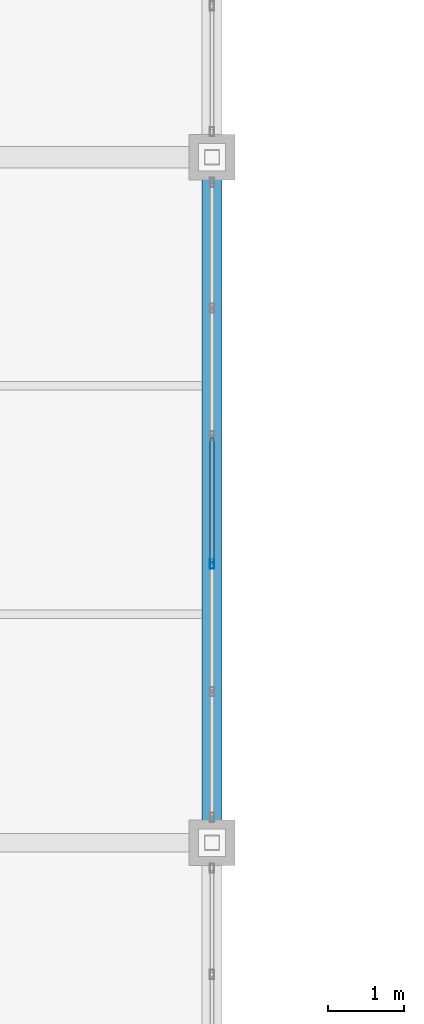
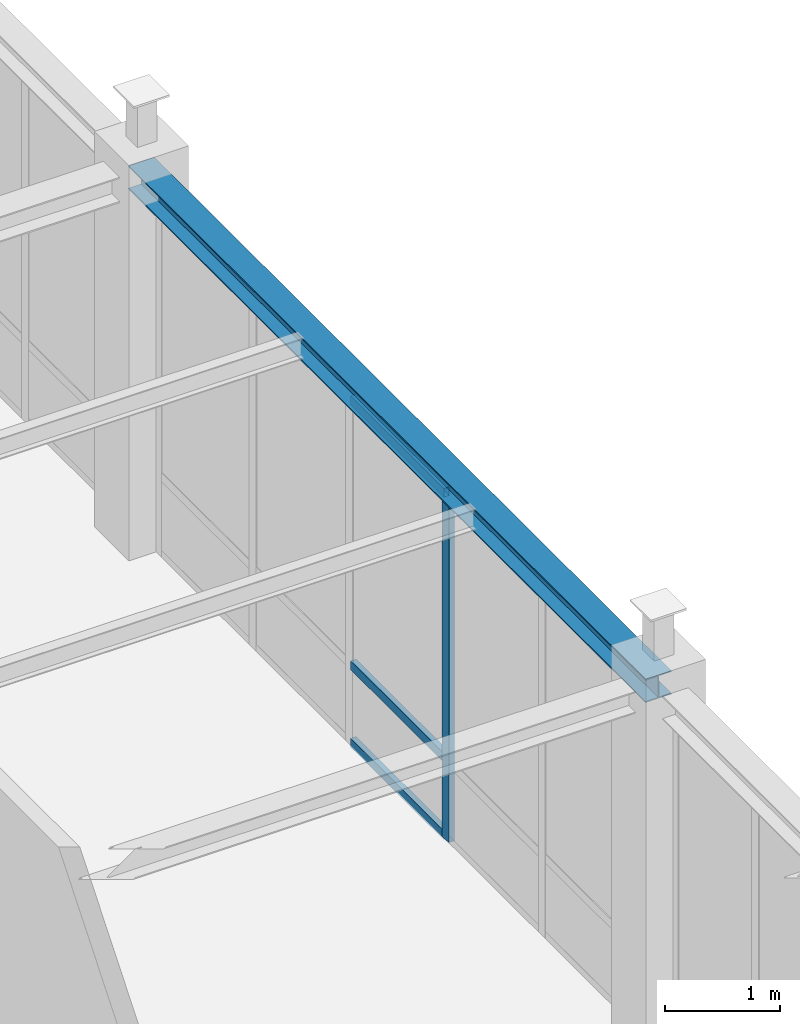
# One storey, part 13 of 36: 4 members, 1 beam, 1 element without a shape of its own.
"""IFC4 building model written with IfcOpenShell, lengths in metres."""

from ifc_helpers import new_model, si_unit, direction, frame, origin, origin_2d, place, context, subcontext, project, spatial, hollow_rectangle, i_section, extrude, material, material_profile, profile_set, type_object, element, aggregate, save


model = new_model("IFC4")

# Units and contexts
model_context = context("Model", 3, precision=1e-05, world=origin(), true_north=direction((0.0, 1.0)))
body_context = subcontext(model_context, "Body", "Model", "MODEL_VIEW")
ifc_project = project(units=[si_unit("LENGTHUNIT", "METRE"), si_unit("AREAUNIT", "SQUARE_METRE"), si_unit("VOLUMEUNIT", "CUBIC_METRE"), si_unit("PLANEANGLEUNIT", "RADIAN"), si_unit("MASSUNIT", "GRAM", prefix="KILO")], contexts=[model_context])

# Site, building, storey
site_placement = place(None, origin())
site = spatial("IfcSite", under=ifc_project, at=site_placement, CompositionType="ELEMENT")
building_placement = place(site_placement, origin())
building = spatial("IfcBuilding", under=site, at=building_placement, Name="Lykobir Media Centre", CompositionType="ELEMENT")
storey_placement = place(building_placement, frame((0.0, 0.0, 27.60009765625)))
storey = spatial("IfcBuildingStorey", under=building, at=storey_placement, Name="L06", CompositionType="ELEMENT", Elevation=27.60009765625)

# Beam
ifc_material_1 = material(Name="Steel S355", Category="steel")
ifc_material_profile_1 = material_profile(ifc_material_1, i_section(OverallWidth=0.260009765625, OverallDepth=0.25, WebThickness=0.007568359375, FlangeThickness=0.012451171875, at=origin_2d()), Name="HEA 260")
ifc_profile_set_1 = profile_set([ifc_material_profile_1], Name="Steel S355")
beam_type = type_object("IfcBeamType", Name="BM-HEA260", PredefinedType="BEAM", material=ifc_profile_set_1)
beam_placement = place(storey_placement, frame((36.0, 27.0, 3.8330078125), z_axis=(0.0, 1.0, 0.0), x_axis=(-1.0, 0.0, 0.0)))
element("IfcBeam", 1, at=beam_placement, inside=storey, type_object=beam_type, Name="Beam BM-L06-0360-0270-0360-0360-3146", PredefinedType="BEAM", context=body_context, shape_type="SweptSolid", body=[
    extrude(i_section(OverallWidth=0.260009765625, OverallDepth=0.25, WebThickness=0.007568359375, FlangeThickness=0.012451171875, at=origin_2d()), origin(), (0.0, 0.0, 1.0), 9.0),
])

# Curtain wall, members
ifc_material_2 = material(Name="Anodized Aluminium AW-6060", Category="aluminium")
curtain_wall_type = type_object("IfcCurtainWallType", Name="CW-COURT-B", PredefinedType="NOTDEFINED", material=ifc_material_2)
curtain_wall_placement = place(storey_placement, origin())
curtain_wall = element("IfcCurtainWall", 2, at=curtain_wall_placement, inside=storey, type_object=curtain_wall_type, Name="Curtain wall CW2-L06-0211", PredefinedType="NOTDEFINED")
ifc_material_profile_2 = material_profile(ifc_material_2, hollow_rectangle(XDim=0.054931640625, YDim=0.1201171875, WallThickness=0.003173828125, at=origin_2d()), Name="ALU MULLION 55x120")
ifc_profile_set_2 = profile_set([ifc_material_profile_2], Name="Anodized Aluminium AW-6060")
member_type_1 = type_object("IfcMemberType", Name="CWM-120", PredefinedType="MULLION", material=ifc_profile_set_2)
member_1_placement = place(storey_placement, frame((36.0, 30.660888671875, 0.0), z_axis=(0.0, 0.0, 1.0), x_axis=(1.0, 0.0, 0.0)))
member_1 = element("IfcMember", 3, at=member_1_placement, type_object=member_type_1, Name="CW2-L06-0211 mullion 4", PredefinedType="MULLION", context=body_context, shape_type="SweptSolid", body=[
    extrude(hollow_rectangle(XDim=0.054931640625, YDim=0.1201171875, WallThickness=0.003173828125, at=origin_2d()), origin(), (0.0, 0.0, 1.0), 3.69287109375),
])
ifc_material_profile_3 = material_profile(ifc_material_2, hollow_rectangle(XDim=0.054931640625, YDim=0.094970703125, WallThickness=0.0029296875, at=origin_2d()), Name="ALU TRANSOM 55x95")
ifc_profile_set_3 = profile_set([ifc_material_profile_3], Name="Anodized Aluminium AW-6060")
member_type_2 = type_object("IfcMemberType", Name="CWT-095", PredefinedType="USERDEFINED", material=ifc_profile_set_3)
member_2_placement = place(storey_placement, frame((36.0, 32.3115234375, 0.02734375), z_axis=(0.0, -1.0, 0.0), x_axis=(1.0, 0.0, 0.0)))
member_2 = element("IfcMember", 4, at=member_2_placement, type_object=member_type_2, Name="CW2-L06-0211 transom 3.1", ObjectType="TRANSOM", PredefinedType="USERDEFINED", context=body_context, shape_type="SweptSolid", body=[
    extrude(hollow_rectangle(XDim=0.054931640625, YDim=0.094970703125, WallThickness=0.0029296875, at=origin_2d()), origin(), (0.0, 0.0, 1.0), 1.623046875),
])
member_3_placement = place(storey_placement, frame((36.0, 32.3115234375, 0.849853515625), z_axis=(0.0, -1.0, 0.0), x_axis=(1.0, 0.0, 0.0)))
member_3 = element("IfcMember", 5, at=member_3_placement, type_object=member_type_2, Name="CW2-L06-0211 transom 3.2", ObjectType="TRANSOM", PredefinedType="USERDEFINED", context=body_context, shape_type="SweptSolid", body=[
    extrude(hollow_rectangle(XDim=0.054931640625, YDim=0.094970703125, WallThickness=0.0029296875, at=origin_2d()), origin(), (0.0, 0.0, 1.0), 1.623046875),
])
member_4_placement = place(storey_placement, frame((36.0, 32.3115234375, 3.665283203125), z_axis=(0.0, -1.0, 0.0), x_axis=(1.0, 0.0, 0.0)))
member_4 = element("IfcMember", 6, at=member_4_placement, type_object=member_type_2, Name="CW2-L06-0211 transom 3.3", ObjectType="TRANSOM", PredefinedType="USERDEFINED", context=body_context, shape_type="SweptSolid", body=[
    extrude(hollow_rectangle(XDim=0.054931640625, YDim=0.094970703125, WallThickness=0.0029296875, at=origin_2d()), origin(), (0.0, 0.0, 1.0), 1.623046875),
])
aggregate(curtain_wall, [member_1, member_2, member_3, member_4])

save(model, "model.ifc")
